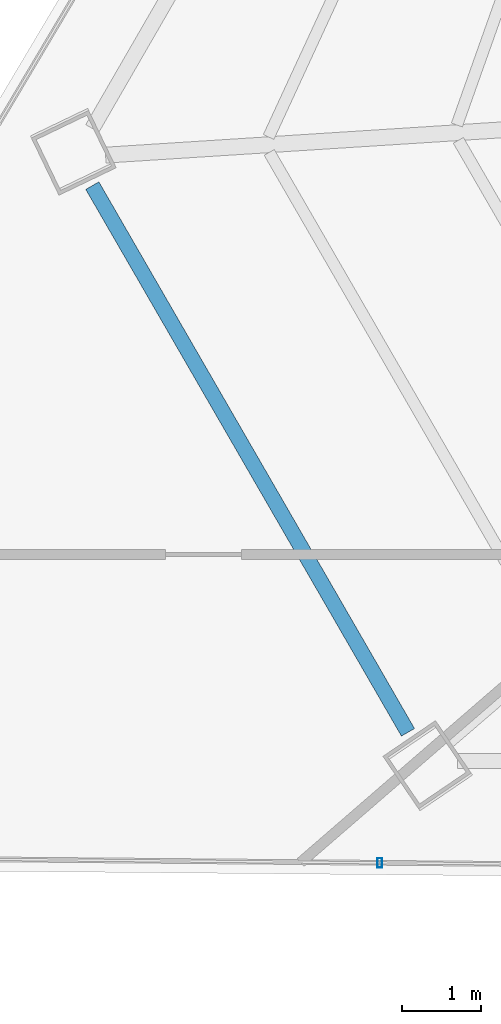
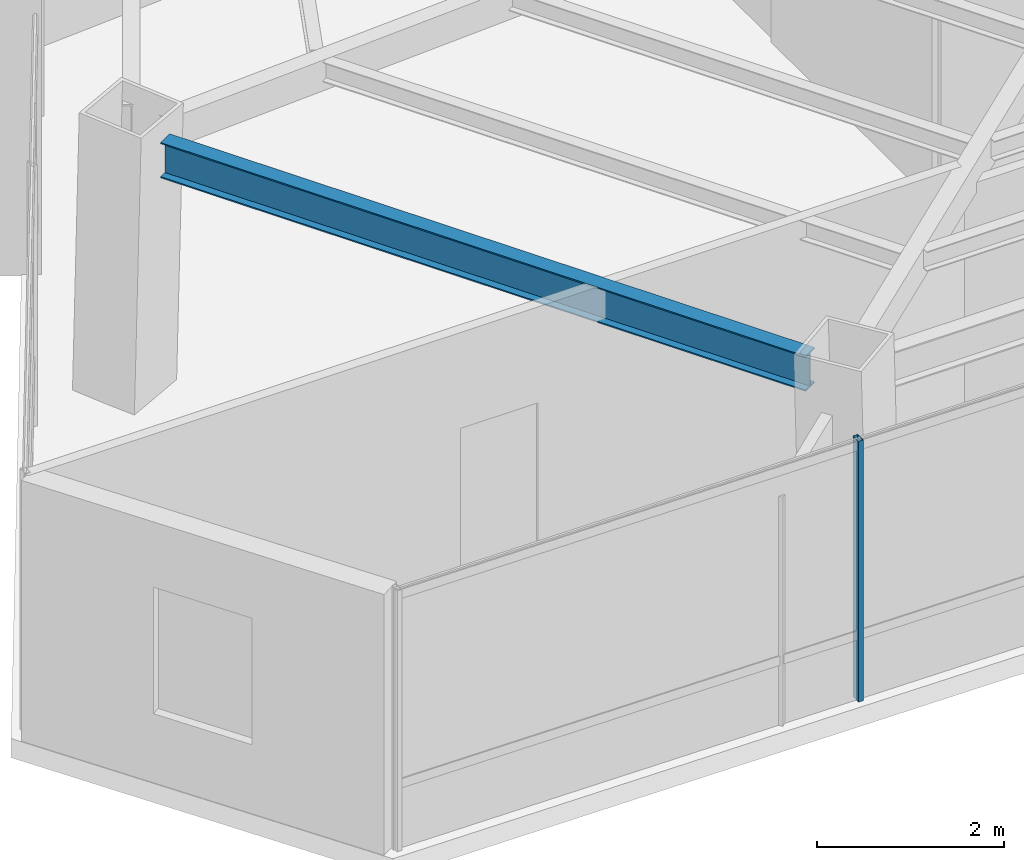
# One storey, part 4 of 47: 1 beam, 1 member, 1 element without a shape of its own.
"""IFC4 building model written with IfcOpenShell, lengths in metres."""

from ifc_helpers import new_model, si_unit, direction, frame, origin, origin_2d, place, context, subcontext, project, spatial, hollow_rectangle, i_section, extrude, source, transform, mapped, material, material_profile, profile_set, type_object, type_shapes, element, aggregate, save


model = new_model("IFC4")

# Units and contexts
model_context = context("Model", 3, precision=1e-05, world=origin(), true_north=direction((0.0, 1.0)))
body_context = subcontext(model_context, "Body", "Model", "MODEL_VIEW")
ifc_project = project(units=[si_unit("LENGTHUNIT", "METRE"), si_unit("AREAUNIT", "SQUARE_METRE"), si_unit("VOLUMEUNIT", "CUBIC_METRE"), si_unit("PLANEANGLEUNIT", "RADIAN"), si_unit("MASSUNIT", "GRAM", prefix="KILO")], contexts=[model_context])

# Site, building, storey
site_placement = place(None, origin())
site = spatial("IfcSite", under=ifc_project, at=site_placement, CompositionType="ELEMENT")
building_placement = place(site_placement, origin())
building = spatial("IfcBuilding", under=site, at=building_placement, Name="Caelisora Broadcast Tower", CompositionType="ELEMENT")
storey_placement = place(building_placement, frame((0.0, 0.0, 229.85009765625)))
storey = spatial("IfcBuildingStorey", under=building, at=storey_placement, Name="L60", CompositionType="ELEMENT", Elevation=229.85009765625)

# Beam
ifc_material_1 = material(Name="Steel Grade 350 (AS/NZS 3679.1)", Category="steel")
ifc_material_profile_1 = material_profile(ifc_material_1, i_section(OverallWidth=0.19091796875, OverallDepth=0.46044921875, WebThickness=0.010009765625, FlangeThickness=0.01611328125, at=origin_2d()), Name="Steel Grade 350 (AS/NZS 3679.1)")
ifc_profile_set_1 = profile_set([ifc_material_profile_1], Name="Steel Grade 350 (AS/NZS 3679.1)")
beam_type = type_object("IfcBeamType", Name="PG06", PredefinedType="BEAM", material=ifc_profile_set_1)
shared_shape_1 = source(origin(), body_context, "Body", "SweptSolid", [
    extrude(i_section(OverallWidth=0.19091796875, OverallDepth=0.46044921875, WebThickness=0.010009765625, FlangeThickness=0.01611328125, at=origin_2d()), origin(), (0.0, 0.0, 1.0), 7.9541015625),
])
type_shapes(beam_type, [shared_shape_1])
beam_placement = place(storey_placement, frame((16.409423828125, 16.126953125, 3.169677734375), z_axis=(0.500024450573, -0.866011286779, 0.0), x_axis=(0.866011286779, 0.500024450573, 0.0)))
element("IfcBeam", 1, at=beam_placement, inside=storey, type_object=beam_type, Name="L60 beam PG06", PredefinedType="BEAM", context=body_context, shape_type="MappedRepresentation", body=[
    mapped(shared_shape_1, transform((0.0, 0.0, 0.0), scale=1.0)),
])

# Curtain wall, member
ifc_material_2 = material(Name="Unitised Aluminium and Low-E Glass Curtain Wall", Category="glass")
curtain_wall_type = type_object("IfcCurtainWallType", Name="CW-Z5", PredefinedType="NOTDEFINED", material=ifc_material_2)
curtain_wall_placement = place(storey_placement, origin())
curtain_wall = element("IfcCurtainWall", 2, at=curtain_wall_placement, inside=storey, type_object=curtain_wall_type, Name="L60 curtain wall CW-Z5", PredefinedType="NOTDEFINED")
ifc_material_3 = material(Name="Aluminium 6063-T6 Anodised Terracotta Bronze", Category="aluminium")
ifc_material_profile_2 = material_profile(ifc_material_3, hollow_rectangle(XDim=0.06005859375, YDim=0.1201171875, WallThickness=0.0029296875, at=origin_2d()), Name="Aluminium 6063-T6 Anodised Terracotta Bronze")
ifc_profile_set_2 = profile_set([ifc_material_profile_2], Name="Aluminium 6063-T6 Anodised Terracotta Bronze")
member_type = type_object("IfcMemberType", Name="CWM-04", PredefinedType="MULLION", material=ifc_profile_set_2)
shared_shape_2 = source(origin(), body_context, "Body", "SweptSolid", [
    extrude(hollow_rectangle(XDim=0.06005859375, YDim=0.1201171875, WallThickness=0.0029296875, at=origin_2d()), origin(), (0.0, 0.0, 1.0), 3.39990234375),
])
type_shapes(member_type, [shared_shape_2])
member_placement = place(storey_placement, frame((20.030029296875, 7.594482421875, 0.0), z_axis=(0.0, 0.0, 1.0), x_axis=(1.0, 0.0, 0.0)))
member = element("IfcMember", 3, at=member_placement, type_object=member_type, Name="L60-CW-B07 mullion #2", PredefinedType="MULLION", context=body_context, shape_type="MappedRepresentation", body=[
    mapped(shared_shape_2, transform((0.0, 0.0, 0.0), scale=1.0)),
])
aggregate(curtain_wall, [member])

save(model, "model.ifc")
